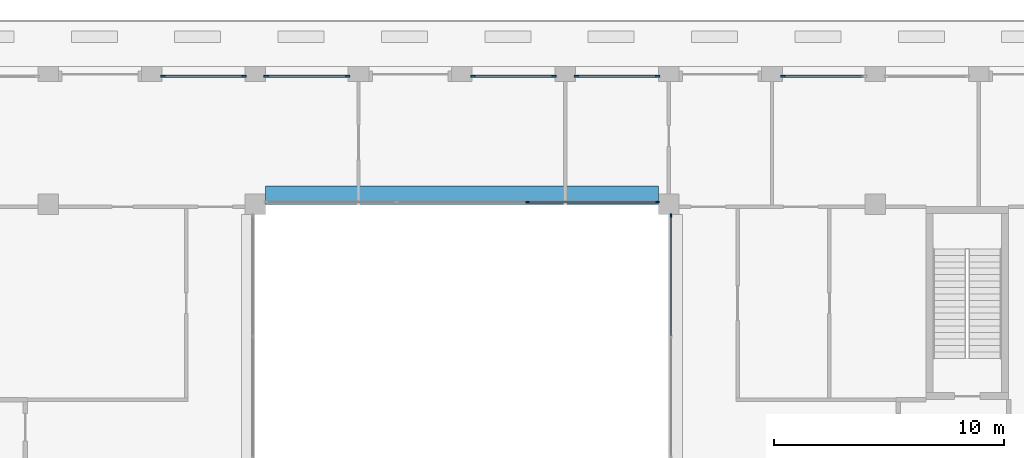
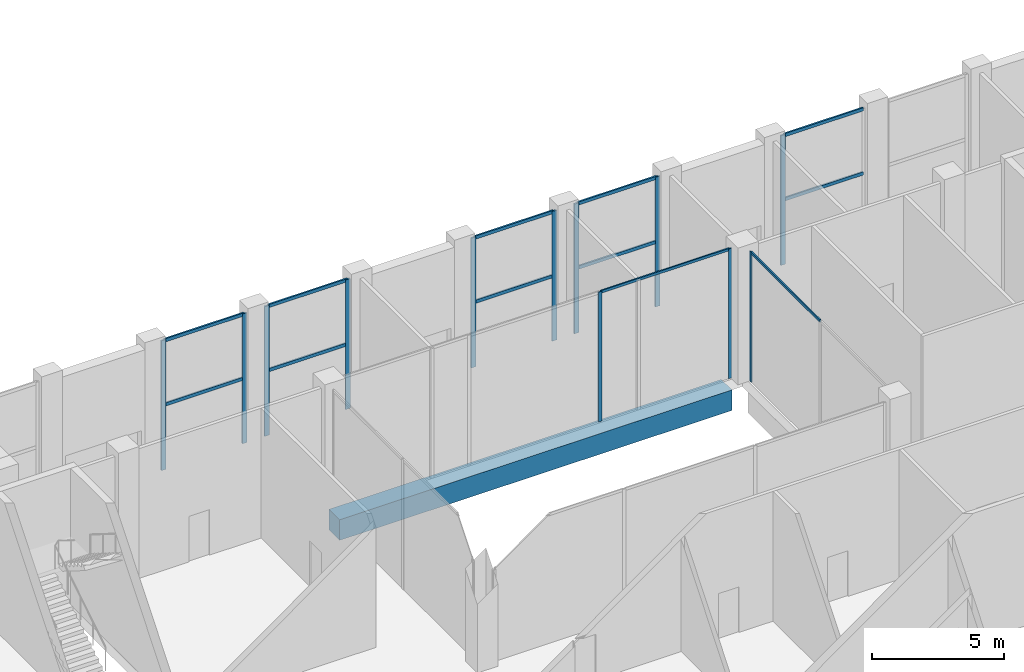
# One storey, part 8 of 18: 24 members, 1 beam, 7 elements without a shape of their own.
"""IFC4 building model written with IfcOpenShell, lengths in metres."""

from ifc_helpers import new_model, si_unit, direction, frame, origin, origin_2d, place, context, subcontext, project, spatial, rectangle, extrude, material, layer, layer_set, material_profile, profile_set, type_object, element, aggregate, save


model = new_model("IFC4")

# Units and contexts
model_context = context("Model", 3, precision=1e-05, world=origin(), true_north=direction((0.0, 1.0)))
body_context = subcontext(model_context, "Body", "Model", "MODEL_VIEW")
ifc_project = project(units=[si_unit("LENGTHUNIT", "METRE"), si_unit("AREAUNIT", "SQUARE_METRE"), si_unit("VOLUMEUNIT", "CUBIC_METRE"), si_unit("PLANEANGLEUNIT", "RADIAN"), si_unit("MASSUNIT", "GRAM", prefix="KILO")], contexts=[model_context])

# Site, building, storey
site_placement = place(None, origin())
site = spatial("IfcSite", under=ifc_project, at=site_placement, CompositionType="ELEMENT")
building_placement = place(site_placement, origin())
building = spatial("IfcBuilding", under=site, at=building_placement, Name="Brigalow Station Residences", CompositionType="ELEMENT")
storey_placement = place(building_placement, frame((0.0, 0.0, 191.699951171875)))
storey = spatial("IfcBuildingStorey", under=building, at=storey_placement, Name="L55", CompositionType="ELEMENT", Elevation=191.699951171875)

# Beam
ifc_material_1 = material(Name="Concrete C65", Category="concrete")
ifc_material_profile_1 = material_profile(ifc_material_1, rectangle(XDim=0.800048828125, YDim=0.949951171875, at=origin_2d()), Name="RC800x950")
ifc_profile_set_1 = profile_set([ifc_material_profile_1], Name="Concrete C65")
beam_type = type_object("IfcBeamType", Name="ATRIUM EDGE GIRDER OVER 13.5 M SPAN 800x950 C65", PredefinedType="BEAM", material=ifc_profile_set_1)
beam_placement = place(storey_placement, frame((27.449951171875, 35.89990234375, -0.974853515625), z_axis=(1.0, 0.0, 0.0), x_axis=(0.0, 1.0, 0.0)))
element("IfcBeam", 1, at=beam_placement, inside=storey, type_object=beam_type, Name="ATRIUM EDGE GIRDER D L55", PredefinedType="BEAM", context=body_context, shape_type="SweptSolid", body=[
    extrude(rectangle(XDim=0.800048828125, YDim=0.949951171875, at=origin_2d()), origin(), (0.0, 0.0, 1.0), 17.10009765625),
])

# Curtain wall, member
ifc_material_2 = material(Name="Aluminium", Category="aluminium")
ifc_layer_1 = layer(ifc_material_2, 0.14990234375)
ifc_layer_set_1 = layer_set([ifc_layer_1], Name="ATRIUM FIRE-RATED GLAZING CURTAIN WALL")
curtain_wall_type_1 = type_object("IfcCurtainWallType", Name="ATRIUM FIRE-RATED GLAZING CURTAIN WALL", PredefinedType="NOTDEFINED", material=ifc_layer_set_1)
curtain_wall_1_placement = place(storey_placement, origin())
curtain_wall_1 = element("IfcCurtainWall", 2, at=curtain_wall_1_placement, inside=storey, type_object=curtain_wall_type_1, Name="L55/cw/atrium-E", PredefinedType="NOTDEFINED")
ifc_material_3 = material(Name="Aluminium", Category="aluminium")
ifc_material_profile_2 = material_profile(ifc_material_3, rectangle(XDim=0.06005859375, YDim=0.14990234375, at=origin_2d()), Name="ATRIUM FIRE-RATED GLAZING MULLION 60x150")
ifc_profile_set_2 = profile_set([ifc_material_profile_2], Name="Aluminium")
member_type_1 = type_object("IfcMemberType", Name="ATRIUM FIRE-RATED GLAZING MULLION 60x150", PredefinedType="MULLION", material=ifc_profile_set_2)
member_1_placement = place(storey_placement, frame((45.10009765625, 35.02001953125, 0.0), z_axis=(0.0, 0.0, 1.0), x_axis=(-1.0, 0.0, 0.0)))
member_1 = element("IfcMember", 3, at=member_1_placement, type_object=member_type_1, Name="L55/cw/atrium-E/M02", PredefinedType="MULLION", context=body_context, shape_type="SweptSolid", body=[
    extrude(rectangle(XDim=0.06005859375, YDim=0.14990234375, at=origin_2d()), origin(), (0.0, 0.0, 1.0), 5.97998046875),
])

# Curtain wall, members
curtain_wall_2_placement = place(storey_placement, origin())
curtain_wall_2 = element("IfcCurtainWall", 4, at=curtain_wall_2_placement, inside=storey, type_object=curtain_wall_type_1, Name="L55/cw/atrium-N", PredefinedType="NOTDEFINED")
member_2_placement = place(storey_placement, frame((44.52001953125, 35.60009765625, 0.0), z_axis=(0.0, 0.0, 1.0), x_axis=(0.0, -1.0, 0.0)))
member_2 = element("IfcMember", 5, at=member_2_placement, type_object=member_type_1, Name="L55/cw/atrium-N/M00", PredefinedType="MULLION", context=body_context, shape_type="SweptSolid", body=[
    extrude(rectangle(XDim=0.06005859375, YDim=0.14990234375, at=origin_2d()), origin(), (0.0, 0.0, 1.0), 5.97998046875),
])
member_3_placement = place(storey_placement, frame((38.85009765625, 35.60009765625, 0.0), z_axis=(0.0, 0.0, 1.0), x_axis=(0.0, -1.0, 0.0)))
member_3 = element("IfcMember", 6, at=member_3_placement, type_object=member_type_1, Name="L55/cw/atrium-N/M01", PredefinedType="MULLION", context=body_context, shape_type="SweptSolid", body=[
    extrude(rectangle(XDim=0.06005859375, YDim=0.14990234375, at=origin_2d()), origin(), (0.0, 0.0, 1.0), 5.97998046875),
])

# Member
ifc_material_4 = material(Name="Aluminium", Category="aluminium")
ifc_material_profile_3 = material_profile(ifc_material_4, rectangle(XDim=0.06005859375, YDim=0.1201171875, at=origin_2d()), Name="ATRIUM FIRE-RATED GLAZING TRANSOM 60x120")
ifc_profile_set_3 = profile_set([ifc_material_profile_3], Name="Aluminium")
member_type_2 = type_object("IfcMemberType", Name="ATRIUM FIRE-RATED GLAZING TRANSOM 60x120", PredefinedType="USERDEFINED", material=ifc_profile_set_3)
member_4_placement = place(storey_placement, frame((45.10009765625, 29.780029296875, 5.949951171875), z_axis=(0.0, 1.0, 0.0), x_axis=(-1.0, 0.0, 0.0)))
member_4 = element("IfcMember", 7, at=member_4_placement, type_object=member_type_2, Name="L55/cw/atrium-E/T01-00", ObjectType="TRANSOM", PredefinedType="USERDEFINED", context=body_context, shape_type="SweptSolid", body=[
    extrude(rectangle(XDim=0.06005859375, YDim=0.1201171875, at=origin_2d()), origin(), (0.0, 0.0, 1.0), 5.2099609375),
])

aggregate(curtain_wall_1, [member_1, member_4])

member_5_placement = place(storey_placement, frame((44.489990234375, 35.60009765625, 5.949951171875), z_axis=(-1.0, 0.0, 0.0), x_axis=(0.0, -1.0, 0.0)))
member_5 = element("IfcMember", 8, at=member_5_placement, type_object=member_type_2, Name="L55/cw/atrium-N/T00-00", ObjectType="TRANSOM", PredefinedType="USERDEFINED", context=body_context, shape_type="SweptSolid", body=[
    extrude(rectangle(XDim=0.06005859375, YDim=0.1201171875, at=origin_2d()), origin(), (0.0, 0.0, 1.0), 5.610107421875),
])

aggregate(curtain_wall_2, [member_2, member_3, member_5])

# Curtain wall, member
ifc_material_5 = material(Name="Aluminium", Category="aluminium")
ifc_layer_2 = layer(ifc_material_5, 0.199951171875)
ifc_layer_set_2 = layer_set([ifc_layer_2], Name="SKY FLOOR GLAZING CURTAIN WALL")
curtain_wall_type_2 = type_object("IfcCurtainWallType", Name="SKY FLOOR GLAZING CURTAIN WALL", PredefinedType="NOTDEFINED", material=ifc_layer_set_2)
curtain_wall_3_placement = place(storey_placement, origin())
curtain_wall_3 = element("IfcCurtainWall", 9, at=curtain_wall_3_placement, inside=storey, type_object=curtain_wall_type_2, Name="L55/cw/W-L55-23", PredefinedType="NOTDEFINED")
ifc_material_6 = material(Name="Aluminium", Category="aluminium")
ifc_material_profile_4 = material_profile(ifc_material_6, rectangle(XDim=0.070068359375, YDim=0.199951171875, at=origin_2d()), Name="SKY FLOOR GLAZING MULLION 70x200")
ifc_profile_set_4 = profile_set([ifc_material_profile_4], Name="Aluminium")
member_type_3 = type_object("IfcMemberType", Name="SKY FLOOR GLAZING MULLION 70x200", PredefinedType="MULLION", material=ifc_profile_set_4)
member_6_placement = place(storey_placement, frame((49.985107421875, 41.074951171875, 0.0), z_axis=(0.0, 0.0, 1.0), x_axis=(0.0, -1.0, 0.0)))
member_6 = element("IfcMember", 10, at=member_6_placement, type_object=member_type_3, Name="L55/cw/W-L55-23/M01", PredefinedType="MULLION", context=body_context, shape_type="SweptSolid", body=[
    extrude(rectangle(XDim=0.070068359375, YDim=0.199951171875, at=origin_2d()), origin(), (0.0, 0.0, 1.0), 5.97998046875),
])

# Curtain wall, members
curtain_wall_4_placement = place(storey_placement, origin())
curtain_wall_4 = element("IfcCurtainWall", 11, at=curtain_wall_4_placement, inside=storey, type_object=curtain_wall_type_2, Name="L55/cw/W-L55-25", PredefinedType="NOTDEFINED")
member_7_placement = place(storey_placement, frame((44.514892578125, 41.074951171875, 0.0), z_axis=(0.0, 0.0, 1.0), x_axis=(0.0, -1.0, 0.0)))
member_7 = element("IfcMember", 12, at=member_7_placement, type_object=member_type_3, Name="L55/cw/W-L55-25/M00", PredefinedType="MULLION", context=body_context, shape_type="SweptSolid", body=[
    extrude(rectangle(XDim=0.070068359375, YDim=0.199951171875, at=origin_2d()), origin(), (0.0, 0.0, 1.0), 5.97998046875),
])
member_8_placement = place(storey_placement, frame((40.985107421875, 41.074951171875, 0.0), z_axis=(0.0, 0.0, 1.0), x_axis=(0.0, -1.0, 0.0)))
member_8 = element("IfcMember", 13, at=member_8_placement, type_object=member_type_3, Name="L55/cw/W-L55-25/M01", PredefinedType="MULLION", context=body_context, shape_type="SweptSolid", body=[
    extrude(rectangle(XDim=0.070068359375, YDim=0.199951171875, at=origin_2d()), origin(), (0.0, 0.0, 1.0), 5.97998046875),
])

curtain_wall_5_placement = place(storey_placement, origin())
curtain_wall_5 = element("IfcCurtainWall", 14, at=curtain_wall_5_placement, inside=storey, type_object=curtain_wall_type_2, Name="L55/cw/W-L55-26", PredefinedType="NOTDEFINED")
member_9_placement = place(storey_placement, frame((40.014892578125, 41.074951171875, 0.0), z_axis=(0.0, 0.0, 1.0), x_axis=(0.0, -1.0, 0.0)))
member_9 = element("IfcMember", 15, at=member_9_placement, type_object=member_type_3, Name="L55/cw/W-L55-26/M00", PredefinedType="MULLION", context=body_context, shape_type="SweptSolid", body=[
    extrude(rectangle(XDim=0.070068359375, YDim=0.199951171875, at=origin_2d()), origin(), (0.0, 0.0, 1.0), 5.97998046875),
])
member_10_placement = place(storey_placement, frame((36.485107421875, 41.074951171875, 0.0), z_axis=(0.0, 0.0, 1.0), x_axis=(0.0, -1.0, 0.0)))
member_10 = element("IfcMember", 16, at=member_10_placement, type_object=member_type_3, Name="L55/cw/W-L55-26/M01", PredefinedType="MULLION", context=body_context, shape_type="SweptSolid", body=[
    extrude(rectangle(XDim=0.070068359375, YDim=0.199951171875, at=origin_2d()), origin(), (0.0, 0.0, 1.0), 5.97998046875),
])

curtain_wall_6_placement = place(storey_placement, origin())
curtain_wall_6 = element("IfcCurtainWall", 17, at=curtain_wall_6_placement, inside=storey, type_object=curtain_wall_type_2, Name="L55/cw/W-L55-28", PredefinedType="NOTDEFINED")
member_11_placement = place(storey_placement, frame((31.014892578125, 41.074951171875, 0.0), z_axis=(0.0, 0.0, 1.0), x_axis=(0.0, -1.0, 0.0)))
member_11 = element("IfcMember", 18, at=member_11_placement, type_object=member_type_3, Name="L55/cw/W-L55-28/M00", PredefinedType="MULLION", context=body_context, shape_type="SweptSolid", body=[
    extrude(rectangle(XDim=0.070068359375, YDim=0.199951171875, at=origin_2d()), origin(), (0.0, 0.0, 1.0), 5.97998046875),
])
member_12_placement = place(storey_placement, frame((27.485107421875, 41.074951171875, 0.0), z_axis=(0.0, 0.0, 1.0), x_axis=(0.0, -1.0, 0.0)))
member_12 = element("IfcMember", 19, at=member_12_placement, type_object=member_type_3, Name="L55/cw/W-L55-28/M01", PredefinedType="MULLION", context=body_context, shape_type="SweptSolid", body=[
    extrude(rectangle(XDim=0.070068359375, YDim=0.199951171875, at=origin_2d()), origin(), (0.0, 0.0, 1.0), 5.97998046875),
])

curtain_wall_7_placement = place(storey_placement, origin())
curtain_wall_7 = element("IfcCurtainWall", 20, at=curtain_wall_7_placement, inside=storey, type_object=curtain_wall_type_2, Name="L55/cw/W-L55-29", PredefinedType="NOTDEFINED")
member_13_placement = place(storey_placement, frame((26.514892578125, 41.074951171875, 0.0), z_axis=(0.0, 0.0, 1.0), x_axis=(0.0, -1.0, 0.0)))
member_13 = element("IfcMember", 21, at=member_13_placement, type_object=member_type_3, Name="L55/cw/W-L55-29/M00", PredefinedType="MULLION", context=body_context, shape_type="SweptSolid", body=[
    extrude(rectangle(XDim=0.070068359375, YDim=0.199951171875, at=origin_2d()), origin(), (0.0, 0.0, 1.0), 5.97998046875),
])
member_14_placement = place(storey_placement, frame((22.985107421875, 41.074951171875, 0.0), z_axis=(0.0, 0.0, 1.0), x_axis=(0.0, -1.0, 0.0)))
member_14 = element("IfcMember", 22, at=member_14_placement, type_object=member_type_3, Name="L55/cw/W-L55-29/M01", PredefinedType="MULLION", context=body_context, shape_type="SweptSolid", body=[
    extrude(rectangle(XDim=0.070068359375, YDim=0.199951171875, at=origin_2d()), origin(), (0.0, 0.0, 1.0), 5.97998046875),
])

# Member
ifc_material_7 = material(Name="Aluminium", Category="aluminium")
ifc_material_profile_5 = material_profile(ifc_material_7, rectangle(XDim=0.070068359375, YDim=0.14990234375, at=origin_2d()), Name="SKY FLOOR GLAZING TRANSOM 70x150")
ifc_profile_set_5 = profile_set([ifc_material_profile_5], Name="Aluminium")
member_type_4 = type_object("IfcMemberType", Name="SKY FLOOR GLAZING TRANSOM 70x150", PredefinedType="USERDEFINED", material=ifc_profile_set_5)
member_15_placement = place(storey_placement, frame((53.47998046875, 41.074951171875, 2.989990234375), z_axis=(-1.0, 0.0, 0.0), x_axis=(0.0, -1.0, 0.0)))
member_15 = element("IfcMember", 23, at=member_15_placement, type_object=member_type_4, Name="L55/cw/W-L55-23/T00-00", ObjectType="TRANSOM", PredefinedType="USERDEFINED", context=body_context, shape_type="SweptSolid", body=[
    extrude(rectangle(XDim=0.070068359375, YDim=0.14990234375, at=origin_2d()), origin(), (0.0, 0.0, 1.0), 3.4599609375),
])

member_16_placement = place(storey_placement, frame((53.47998046875, 41.074951171875, 5.945068359375), z_axis=(-1.0, 0.0, 0.0), x_axis=(0.0, -1.0, 0.0)))
member_16 = element("IfcMember", 24, at=member_16_placement, type_object=member_type_4, Name="L55/cw/W-L55-23/T00-01", ObjectType="TRANSOM", PredefinedType="USERDEFINED", context=body_context, shape_type="SweptSolid", body=[
    extrude(rectangle(XDim=0.070068359375, YDim=0.14990234375, at=origin_2d()), origin(), (0.0, 0.0, 1.0), 3.4599609375),
])

aggregate(curtain_wall_3, [member_6, member_15, member_16])

member_17_placement = place(storey_placement, frame((44.47998046875, 41.074951171875, 2.989990234375), z_axis=(-1.0, 0.0, 0.0), x_axis=(0.0, -1.0, 0.0)))
member_17 = element("IfcMember", 25, at=member_17_placement, type_object=member_type_4, Name="L55/cw/W-L55-25/T00-00", ObjectType="TRANSOM", PredefinedType="USERDEFINED", context=body_context, shape_type="SweptSolid", body=[
    extrude(rectangle(XDim=0.070068359375, YDim=0.14990234375, at=origin_2d()), origin(), (0.0, 0.0, 1.0), 3.4599609375),
])

member_18_placement = place(storey_placement, frame((44.47998046875, 41.074951171875, 5.945068359375), z_axis=(-1.0, 0.0, 0.0), x_axis=(0.0, -1.0, 0.0)))
member_18 = element("IfcMember", 26, at=member_18_placement, type_object=member_type_4, Name="L55/cw/W-L55-25/T00-01", ObjectType="TRANSOM", PredefinedType="USERDEFINED", context=body_context, shape_type="SweptSolid", body=[
    extrude(rectangle(XDim=0.070068359375, YDim=0.14990234375, at=origin_2d()), origin(), (0.0, 0.0, 1.0), 3.4599609375),
])

aggregate(curtain_wall_4, [member_7, member_8, member_17, member_18])

member_19_placement = place(storey_placement, frame((39.97998046875, 41.074951171875, 2.989990234375), z_axis=(-1.0, 0.0, 0.0), x_axis=(0.0, -1.0, 0.0)))
member_19 = element("IfcMember", 27, at=member_19_placement, type_object=member_type_4, Name="L55/cw/W-L55-26/T00-00", ObjectType="TRANSOM", PredefinedType="USERDEFINED", context=body_context, shape_type="SweptSolid", body=[
    extrude(rectangle(XDim=0.070068359375, YDim=0.14990234375, at=origin_2d()), origin(), (0.0, 0.0, 1.0), 3.4599609375),
])

member_20_placement = place(storey_placement, frame((39.97998046875, 41.074951171875, 5.945068359375), z_axis=(-1.0, 0.0, 0.0), x_axis=(0.0, -1.0, 0.0)))
member_20 = element("IfcMember", 28, at=member_20_placement, type_object=member_type_4, Name="L55/cw/W-L55-26/T00-01", ObjectType="TRANSOM", PredefinedType="USERDEFINED", context=body_context, shape_type="SweptSolid", body=[
    extrude(rectangle(XDim=0.070068359375, YDim=0.14990234375, at=origin_2d()), origin(), (0.0, 0.0, 1.0), 3.4599609375),
])

aggregate(curtain_wall_5, [member_9, member_10, member_19, member_20])

member_21_placement = place(storey_placement, frame((30.97998046875, 41.074951171875, 2.989990234375), z_axis=(-1.0, 0.0, 0.0), x_axis=(0.0, -1.0, 0.0)))
member_21 = element("IfcMember", 29, at=member_21_placement, type_object=member_type_4, Name="L55/cw/W-L55-28/T00-00", ObjectType="TRANSOM", PredefinedType="USERDEFINED", context=body_context, shape_type="SweptSolid", body=[
    extrude(rectangle(XDim=0.070068359375, YDim=0.14990234375, at=origin_2d()), origin(), (0.0, 0.0, 1.0), 3.4599609375),
])

member_22_placement = place(storey_placement, frame((30.97998046875, 41.074951171875, 5.945068359375), z_axis=(-1.0, 0.0, 0.0), x_axis=(0.0, -1.0, 0.0)))
member_22 = element("IfcMember", 30, at=member_22_placement, type_object=member_type_4, Name="L55/cw/W-L55-28/T00-01", ObjectType="TRANSOM", PredefinedType="USERDEFINED", context=body_context, shape_type="SweptSolid", body=[
    extrude(rectangle(XDim=0.070068359375, YDim=0.14990234375, at=origin_2d()), origin(), (0.0, 0.0, 1.0), 3.4599609375),
])

aggregate(curtain_wall_6, [member_11, member_12, member_21, member_22])

member_23_placement = place(storey_placement, frame((26.47998046875, 41.074951171875, 2.989990234375), z_axis=(-1.0, 0.0, 0.0), x_axis=(0.0, -1.0, 0.0)))
member_23 = element("IfcMember", 31, at=member_23_placement, type_object=member_type_4, Name="L55/cw/W-L55-29/T00-00", ObjectType="TRANSOM", PredefinedType="USERDEFINED", context=body_context, shape_type="SweptSolid", body=[
    extrude(rectangle(XDim=0.070068359375, YDim=0.14990234375, at=origin_2d()), origin(), (0.0, 0.0, 1.0), 3.4599609375),
])

member_24_placement = place(storey_placement, frame((26.47998046875, 41.074951171875, 5.945068359375), z_axis=(-1.0, 0.0, 0.0), x_axis=(0.0, -1.0, 0.0)))
member_24 = element("IfcMember", 32, at=member_24_placement, type_object=member_type_4, Name="L55/cw/W-L55-29/T00-01", ObjectType="TRANSOM", PredefinedType="USERDEFINED", context=body_context, shape_type="SweptSolid", body=[
    extrude(rectangle(XDim=0.070068359375, YDim=0.14990234375, at=origin_2d()), origin(), (0.0, 0.0, 1.0), 3.4599609375),
])

aggregate(curtain_wall_7, [member_13, member_14, member_23, member_24])

save(model, "model.ifc")
